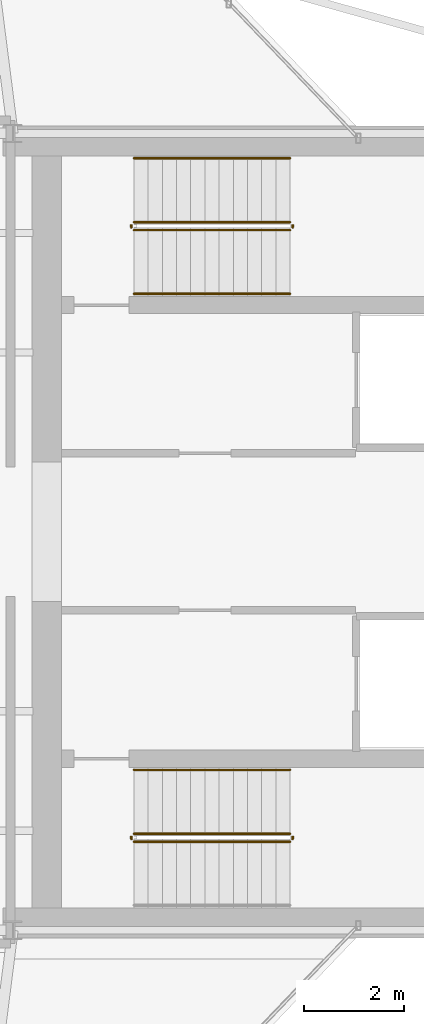
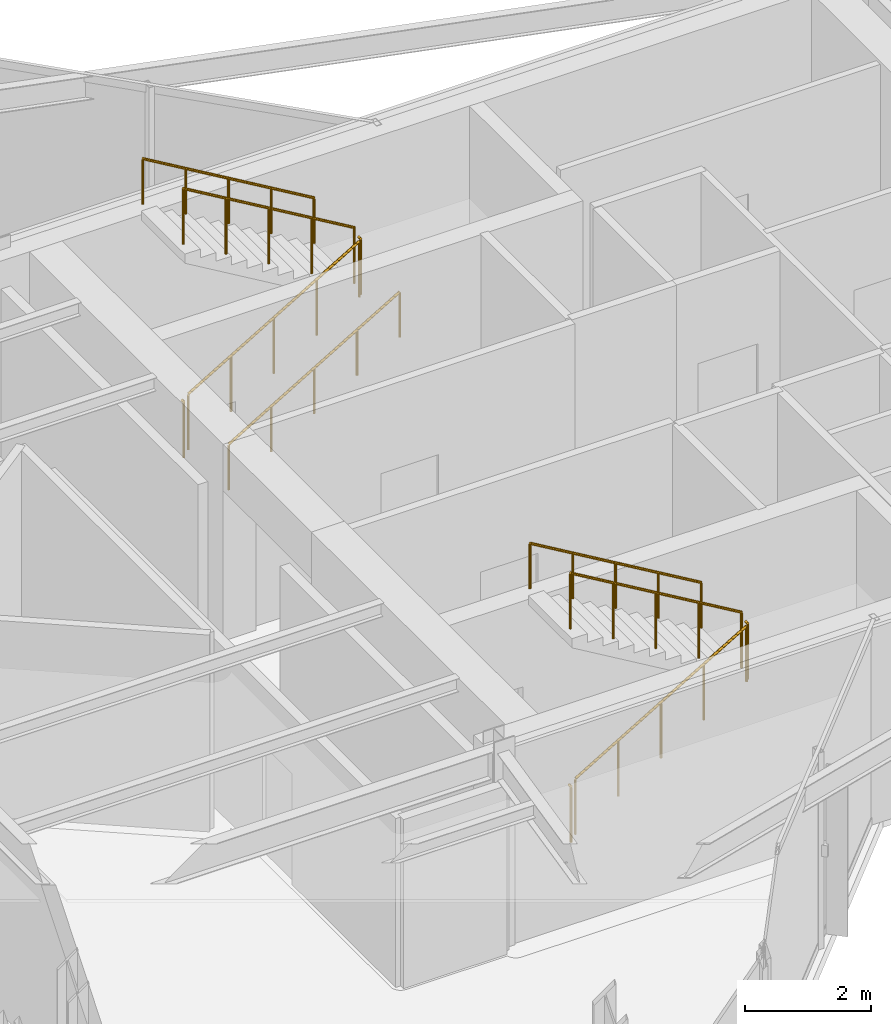
# One storey, part 14 of 14: 11 railings.
"""IFC4 building model written with IfcOpenShell, lengths in metres."""

from ifc_helpers import new_model, si_unit, direction, frame, origin, origin_2d, place, context, subcontext, project, spatial, circle, extrude, material, type_object, element, save


model = new_model("IFC4")

# Units and contexts
model_context = context("Model", 3, precision=1e-05, world=origin(), true_north=direction((0.0, 1.0)))
body_context = subcontext(model_context, "Body", "Model", "MODEL_VIEW")
ifc_project = project(units=[si_unit("LENGTHUNIT", "METRE"), si_unit("AREAUNIT", "SQUARE_METRE"), si_unit("VOLUMEUNIT", "CUBIC_METRE"), si_unit("PLANEANGLEUNIT", "RADIAN"), si_unit("MASSUNIT", "GRAM", prefix="KILO")], contexts=[model_context])

# Site, building, storey
site_placement = place(None, origin())
site = spatial("IfcSite", under=ifc_project, at=site_placement, CompositionType="ELEMENT")
building_placement = place(site_placement, origin())
building = spatial("IfcBuilding", under=site, at=building_placement, Name="Veymaron Broadcast Tower", CompositionType="ELEMENT")
storey_placement = place(building_placement, frame((0.0, 0.0, 295.199951171875)))
storey = spatial("IfcBuildingStorey", under=building, at=storey_placement, Name="L69", CompositionType="ELEMENT", Elevation=295.199951171875)

# Railings
ifc_material_1 = material(Name="Brushed stainless steel AISI 304", Category="steel")
railing_type_1 = type_object("IfcRailingType", Name="RAIL-STAIR-HR", PredefinedType="HANDRAIL", material=ifc_material_1)
railing_1_placement = place(storey_placement, frame((41.429931640625, 28.780029296875, 0.168701171875)))
element("IfcRailing", 1, at=railing_1_placement, inside=storey, type_object=railing_type_1, Name="L69 ST1 stair handrail 1", PredefinedType="HANDRAIL", context=body_context, shape_type="SweptSolid", body=[
    extrude(circle(Radius=0.02392578125, at=origin_2d()), frame((0.0, 0.0, 0.8759765625), z_axis=(0.860452582533, 0.0, 0.509530522356), x_axis=(0.0, 1.0, 0.0)), (0.0, 0.0, 1.0), 3.6435546875),
    extrude(circle(Radius=0.02099609375, at=origin_2d()), origin(), (0.0, 0.0, 1.0), 0.851806640625),
    extrude(circle(Radius=0.02099609375, at=origin_2d()), frame((0.78369140625, 0.0, 0.464111328125)), (0.0, 0.0, 1.0), 0.851806640625),
    extrude(circle(Radius=0.02099609375, at=origin_2d()), frame((1.5673828125, 0.0, 0.92822265625)), (0.0, 0.0, 1.0), 0.851806640625),
    extrude(circle(Radius=0.02099609375, at=origin_2d()), frame((2.351318359375, 0.0, 1.392333984375)), (0.0, 0.0, 1.0), 0.851806640625),
    extrude(circle(Radius=0.02099609375, at=origin_2d()), frame((3.135009765625, 0.0, 1.8564453125)), (0.0, 0.0, 1.0), 0.851806640625),
])
for number, where, name in (
    (2, (44.56494140625, 31.5, 2.19384765625), "L69 ST1 stair handrail 2"),
    (3, (44.56494140625, 19.219970703125, 2.19384765625), "L69 ST2 stair handrail 2"),
):
    element("IfcRailing", number, at=place(storey_placement, frame(where)), inside=storey, type_object=railing_type_1, Name=name, PredefinedType="HANDRAIL", context=body_context, shape_type="SweptSolid", body=[
        extrude(circle(Radius=0.02392578125, at=origin_2d()), frame((0.0, 0.0, 0.8759765625), z_axis=(-0.860481960309, 0.0, 0.509480908359), x_axis=(0.0, -1.0, 0.0)), (0.0, 0.0, 1.0), 3.643310546875),
        extrude(circle(Radius=0.02099609375, at=origin_2d()), origin(), (0.0, 0.0, 1.0), 0.851806640625),
        extrude(circle(Radius=0.02099609375, at=origin_2d()), frame((-0.78369140625, 0.0, 0.464111328125)), (0.0, 0.0, 1.0), 0.851806640625),
        extrude(circle(Radius=0.02099609375, at=origin_2d()), frame((-1.5673828125, 0.0, 0.92822265625)), (0.0, 0.0, 1.0), 0.851806640625),
        extrude(circle(Radius=0.02099609375, at=origin_2d()), frame((-2.351318359375, 0.0, 1.39208984375)), (0.0, 0.0, 1.0), 0.851806640625),
        extrude(circle(Radius=0.02099609375, at=origin_2d()), frame((-3.135009765625, 0.0, 1.856201171875)), (0.0, 0.0, 1.0), 0.851806640625),
    ])
ifc_material_2 = material(Name="Painted galvanized steel balustrade", Category="steel")
railing_type_2 = type_object("IfcRailingType", Name="RAIL-WELL-GRD", PredefinedType="GUARDRAIL", material=ifc_material_2)
railing_2_placement = place(storey_placement, frame((41.429931640625, 30.06005859375, 0.168701171875)))
element("IfcRailing", 4, at=railing_2_placement, inside=storey, type_object=railing_type_2, Name="L69 ST1 stair guard 1", PredefinedType="GUARDRAIL", context=body_context, shape_type="SweptSolid", body=[
    extrude(circle(Radius=0.02392578125, at=origin_2d()), frame((0.0, 0.0, 1.076171875), z_axis=(0.860452582533, 0.0, 0.509530522356), x_axis=(0.0, 1.0, 0.0)), (0.0, 0.0, 1.0), 3.6435546875),
    extrude(circle(Radius=0.02099609375, at=origin_2d()), origin(), (0.0, 0.0, 1.0), 1.052001953125),
    extrude(circle(Radius=0.02099609375, at=origin_2d()), frame((0.78369140625, 0.0, 0.464111328125)), (0.0, 0.0, 1.0), 1.052001953125),
    extrude(circle(Radius=0.02099609375, at=origin_2d()), frame((1.5673828125, 0.0, 0.92822265625)), (0.0, 0.0, 1.0), 1.052001953125),
    extrude(circle(Radius=0.02099609375, at=origin_2d()), frame((2.351318359375, 0.0, 1.392333984375)), (0.0, 0.0, 1.0), 1.052001953125),
    extrude(circle(Radius=0.02099609375, at=origin_2d()), frame((3.135009765625, 0.0, 1.8564453125)), (0.0, 0.0, 1.0), 1.052001953125),
])
railing_3_placement = place(storey_placement, frame((44.614990234375, 30.110107421875, 2.025146484375)))
element("IfcRailing", 5, at=railing_3_placement, inside=storey, type_object=railing_type_2, Name="L69 ST1 stair guard 2", PredefinedType="GUARDRAIL", context=body_context, shape_type="SweptSolid", body=[
    extrude(circle(Radius=0.02392578125, at=origin_2d()), frame((0.0, 0.0, 1.076171875), z_axis=(0.0, 1.0, 0.0), x_axis=(-1.0, 0.0, 0.0)), (0.0, 0.0, 1.0), 0.059814453125),
    extrude(circle(Radius=0.02099609375, at=origin_2d()), origin(), (0.0, 0.0, 1.0), 1.052001953125),
])
railing_4_placement = place(storey_placement, frame((44.56494140625, 30.219970703125, 2.19384765625)))
element("IfcRailing", 6, at=railing_4_placement, inside=storey, type_object=railing_type_2, Name="L69 ST1 stair guard 3", PredefinedType="GUARDRAIL", context=body_context, shape_type="SweptSolid", body=[
    extrude(circle(Radius=0.02392578125, at=origin_2d()), frame((0.0, 0.0, 1.076171875), z_axis=(-0.860481960309, 0.0, 0.509480908359), x_axis=(0.0, -1.0, 0.0)), (0.0, 0.0, 1.0), 3.643310546875),
    extrude(circle(Radius=0.02099609375, at=origin_2d()), origin(), (0.0, 0.0, 1.0), 1.052001953125),
    extrude(circle(Radius=0.02099609375, at=origin_2d()), frame((-0.78369140625, 0.0, 0.464111328125)), (0.0, 0.0, 1.0), 1.052001953125),
    extrude(circle(Radius=0.02099609375, at=origin_2d()), frame((-1.5673828125, 0.0, 0.92822265625)), (0.0, 0.0, 1.0), 1.052001953125),
    extrude(circle(Radius=0.02099609375, at=origin_2d()), frame((-2.351318359375, 0.0, 1.39208984375)), (0.0, 0.0, 1.0), 1.052001953125),
    extrude(circle(Radius=0.02099609375, at=origin_2d()), frame((-3.135009765625, 0.0, 1.856201171875)), (0.0, 0.0, 1.0), 1.052001953125),
])
railing_5_placement = place(storey_placement, frame((41.3798828125, 30.110107421875, 0.0)))
element("IfcRailing", 7, at=railing_5_placement, inside=storey, type_object=railing_type_2, Name="L69 ST1 stair guard 4", PredefinedType="GUARDRAIL", context=body_context, shape_type="SweptSolid", body=[
    extrude(circle(Radius=0.02392578125, at=origin_2d()), frame((0.0, 0.0, 1.076171875), z_axis=(0.0, 1.0, 0.0), x_axis=(-1.0, 0.0, 0.0)), (0.0, 0.0, 1.0), 0.059814453125),
    extrude(circle(Radius=0.02099609375, at=origin_2d()), origin(), (0.0, 0.0, 1.0), 1.052001953125),
])
railing_6_placement = place(storey_placement, frame((41.429931640625, 17.780029296875, 0.168701171875)))
element("IfcRailing", 8, at=railing_6_placement, inside=storey, type_object=railing_type_2, Name="L69 ST2 stair guard 1", PredefinedType="GUARDRAIL", context=body_context, shape_type="SweptSolid", body=[
    extrude(circle(Radius=0.02392578125, at=origin_2d()), frame((0.0, 0.0, 1.076171875), z_axis=(0.860452582533, 0.0, 0.509530522356), x_axis=(0.0, 1.0, 0.0)), (0.0, 0.0, 1.0), 3.6435546875),
    extrude(circle(Radius=0.02099609375, at=origin_2d()), origin(), (0.0, 0.0, 1.0), 1.052001953125),
    extrude(circle(Radius=0.02099609375, at=origin_2d()), frame((0.78369140625, 0.0, 0.464111328125)), (0.0, 0.0, 1.0), 1.052001953125),
    extrude(circle(Radius=0.02099609375, at=origin_2d()), frame((1.5673828125, 0.0, 0.92822265625)), (0.0, 0.0, 1.0), 1.052001953125),
    extrude(circle(Radius=0.02099609375, at=origin_2d()), frame((2.351318359375, 0.0, 1.392333984375)), (0.0, 0.0, 1.0), 1.052001953125),
    extrude(circle(Radius=0.02099609375, at=origin_2d()), frame((3.135009765625, 0.0, 1.8564453125)), (0.0, 0.0, 1.0), 1.052001953125),
])
railing_7_placement = place(storey_placement, frame((44.614990234375, 17.830078125, 2.025146484375)))
element("IfcRailing", 9, at=railing_7_placement, inside=storey, type_object=railing_type_2, Name="L69 ST2 stair guard 2", PredefinedType="GUARDRAIL", context=body_context, shape_type="SweptSolid", body=[
    extrude(circle(Radius=0.02392578125, at=origin_2d()), frame((0.0, 0.0, 1.076171875), z_axis=(0.0, 1.0, 0.0), x_axis=(-1.0, 0.0, 0.0)), (0.0, 0.0, 1.0), 0.059814453125),
    extrude(circle(Radius=0.02099609375, at=origin_2d()), origin(), (0.0, 0.0, 1.0), 1.052001953125),
])
railing_8_placement = place(storey_placement, frame((44.56494140625, 17.93994140625, 2.19384765625)))
element("IfcRailing", 10, at=railing_8_placement, inside=storey, type_object=railing_type_2, Name="L69 ST2 stair guard 3", PredefinedType="GUARDRAIL", context=body_context, shape_type="SweptSolid", body=[
    extrude(circle(Radius=0.02392578125, at=origin_2d()), frame((0.0, 0.0, 1.076171875), z_axis=(-0.860481960309, 0.0, 0.509480908359), x_axis=(0.0, -1.0, 0.0)), (0.0, 0.0, 1.0), 3.643310546875),
    extrude(circle(Radius=0.02099609375, at=origin_2d()), origin(), (0.0, 0.0, 1.0), 1.052001953125),
    extrude(circle(Radius=0.02099609375, at=origin_2d()), frame((-0.78369140625, 0.0, 0.464111328125)), (0.0, 0.0, 1.0), 1.052001953125),
    extrude(circle(Radius=0.02099609375, at=origin_2d()), frame((-1.5673828125, 0.0, 0.92822265625)), (0.0, 0.0, 1.0), 1.052001953125),
    extrude(circle(Radius=0.02099609375, at=origin_2d()), frame((-2.351318359375, 0.0, 1.39208984375)), (0.0, 0.0, 1.0), 1.052001953125),
    extrude(circle(Radius=0.02099609375, at=origin_2d()), frame((-3.135009765625, 0.0, 1.856201171875)), (0.0, 0.0, 1.0), 1.052001953125),
])
railing_9_placement = place(storey_placement, frame((41.3798828125, 17.830078125, 0.0)))
element("IfcRailing", 11, at=railing_9_placement, inside=storey, type_object=railing_type_2, Name="L69 ST2 stair guard 4", PredefinedType="GUARDRAIL", context=body_context, shape_type="SweptSolid", body=[
    extrude(circle(Radius=0.02392578125, at=origin_2d()), frame((0.0, 0.0, 1.076171875), z_axis=(0.0, 1.0, 0.0), x_axis=(-1.0, 0.0, 0.0)), (0.0, 0.0, 1.0), 0.059814453125),
    extrude(circle(Radius=0.02099609375, at=origin_2d()), origin(), (0.0, 0.0, 1.0), 1.052001953125),
])

save(model, "model.ifc")
